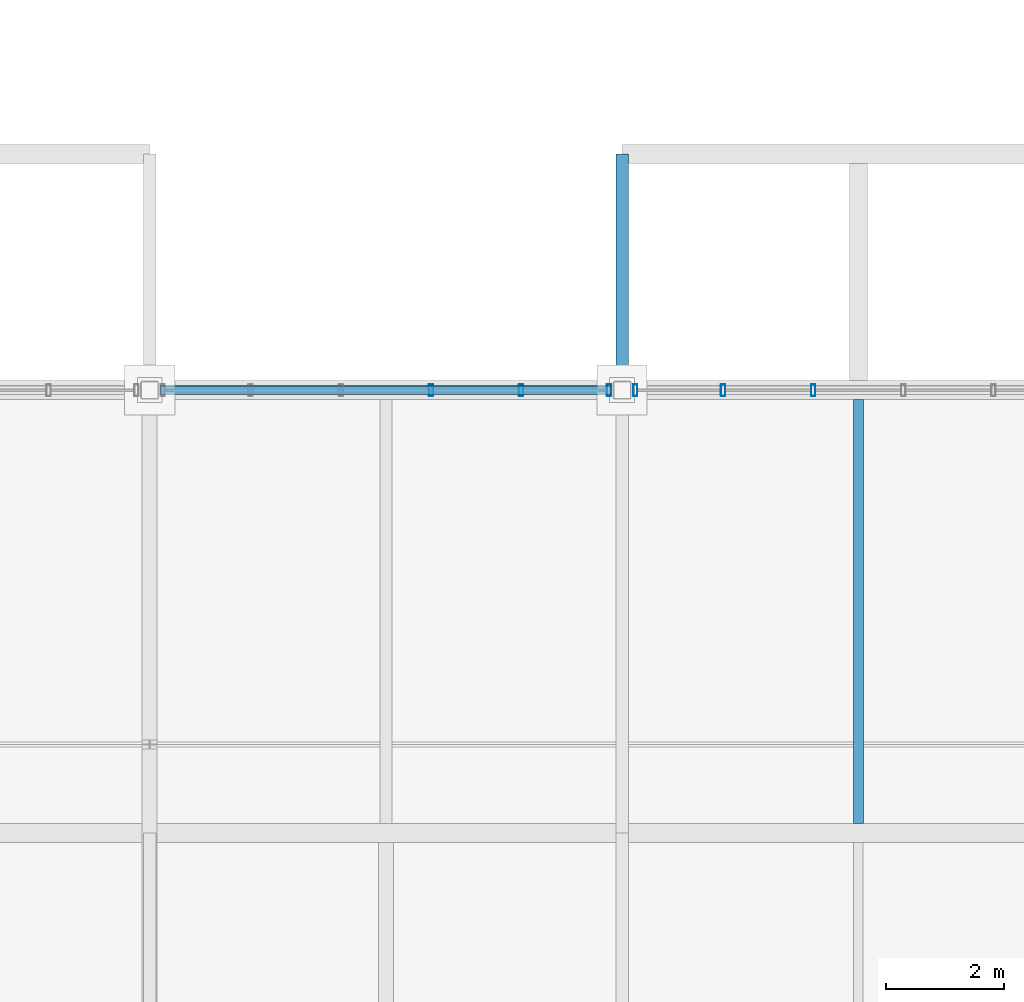
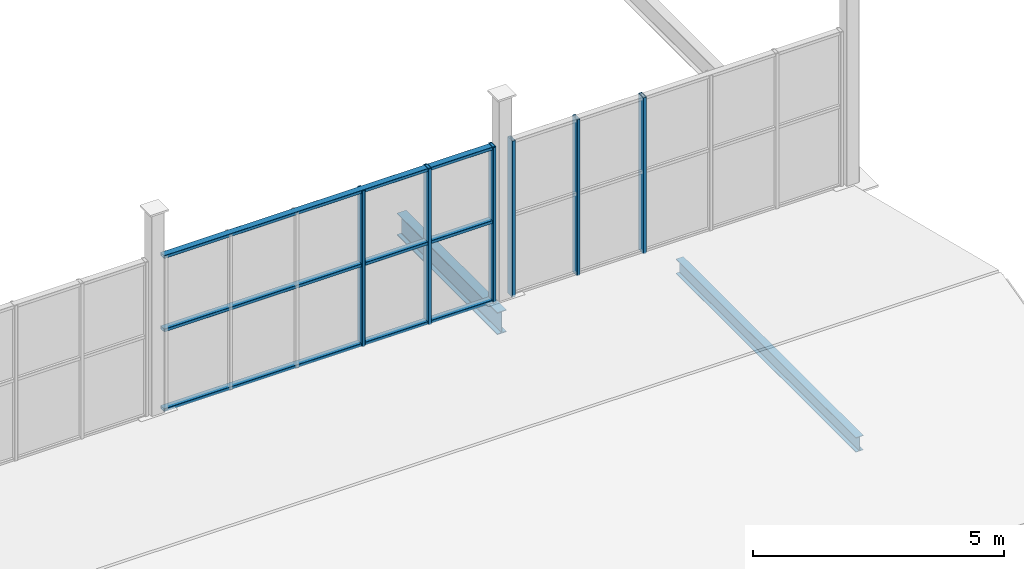
# One storey, part 44 of 96: 9 members, 2 beams, 2 elements without a shape of their own.
"""IFC4 building model written with IfcOpenShell, lengths in metres."""

from ifc_helpers import new_model, si_unit, direction, frame, origin, origin_2d, place, context, subcontext, project, spatial, hollow_rectangle, i_section, extrude, material, material_profile, profile_set, type_object, element, aggregate, save


model = new_model("IFC4")

# Units and contexts
model_context = context("Model", 3, precision=1e-05, world=origin(), true_north=direction((0.0, 1.0)))
body_context = subcontext(model_context, "Body", "Model", "MODEL_VIEW")
ifc_project = project(units=[si_unit("LENGTHUNIT", "METRE"), si_unit("AREAUNIT", "SQUARE_METRE"), si_unit("VOLUMEUNIT", "CUBIC_METRE"), si_unit("PLANEANGLEUNIT", "RADIAN"), si_unit("MASSUNIT", "GRAM", prefix="KILO")], contexts=[model_context])

# Site, building, storey
site_placement = place(None, origin())
site = spatial("IfcSite", under=ifc_project, at=site_placement, CompositionType="ELEMENT")
building_placement = place(site_placement, origin())
building = spatial("IfcBuilding", under=site, at=building_placement, Name="Verrall Gate Interchange", CompositionType="ELEMENT")
storey_placement = place(building_placement, frame((0.0, 0.0, 11.39990234375)))
storey = spatial("IfcBuildingStorey", under=building, at=storey_placement, Name="L03", CompositionType="ELEMENT", Elevation=11.39990234375)

# Beam
ifc_material_1 = material(Name="Structural Steel CSA G40.21 350W", Category="steel")
ifc_material_profile_1 = material_profile(ifc_material_1, i_section(OverallWidth=0.2109375, OverallDepth=0.5390625, WebThickness=0.01171875, FlangeThickness=0.018798828125, FilletRadius=0.013916015625, at=origin_2d()), Name="W530x109")
ifc_profile_set_1 = profile_set([ifc_material_profile_1], Name="Structural Steel CSA G40.21 350W")
beam_type_1 = type_object("IfcBeamType", Name="B-10 Structural Beam W530x109", PredefinedType="BEAM", material=ifc_profile_set_1)
beam_1_placement = place(storey_placement, frame((100.0, 12.0, -0.599365234375), z_axis=(0.0, 1.0, 0.0), x_axis=(-1.0, 0.0, 0.0)))
element("IfcBeam", 1, at=beam_1_placement, inside=storey, type_object=beam_type_1, Name="L03 Girder BM-L03-2308 (B-10)", PredefinedType="BEAM", context=body_context, shape_type="SweptSolid", body=[
    extrude(i_section(OverallWidth=0.2109375, OverallDepth=0.5390625, WebThickness=0.01171875, FlangeThickness=0.018798828125, FilletRadius=0.013916015625, at=origin_2d()), origin(), (0.0, 0.0, 1.0), 4.0),
])

# Curtain wall, members
ifc_material_2 = material(Name="Thermally Broken Anodized Aluminium Curtain Wall Framing", Category="aluminium")
curtain_wall_type = type_object("IfcCurtainWallType", Name="CW-53 Unitized Curtain Wall 7631x3800", PredefinedType="NOTDEFINED", material=ifc_material_2)
curtain_wall_1_placement = place(storey_placement, origin())
curtain_wall_1 = element("IfcCurtainWall", 2, at=curtain_wall_1_placement, inside=storey, type_object=curtain_wall_type, Name="L03 Unitized Curtain Wall CW-L03-CLR-171", PredefinedType="NOTDEFINED")
ifc_material_3 = material(Name="Thermally Broken Anodized Aluminium Curtain Wall Framing", Category="aluminium")
ifc_material_profile_2 = material_profile(ifc_material_3, hollow_rectangle(XDim=0.074951171875, YDim=0.199951171875, WallThickness=0.0048828125, InnerFilletRadius=0.0048828125, OuterFilletRadius=0.010009765625, at=origin_2d()), Name="CWM200x75x5")
ifc_profile_set_2 = profile_set([ifc_material_profile_2], Name="Thermally Broken Anodized Aluminium Curtain Wall Framing")
member_type_1 = type_object("IfcMemberType", Name="CM-02 Curtain Mullion CWM200x75x5", PredefinedType="MULLION", material=ifc_profile_set_2)
member_1_placement = place(storey_placement, frame((96.76318359375, 12.0, 0.0), z_axis=(0.0, 0.0, 1.0), x_axis=(1.0, 0.0, 0.0)))
member_1 = element("IfcMember", 3, at=member_1_placement, type_object=member_type_1, Name="CW-L03-CLR-171 Mullion 4", PredefinedType="MULLION", context=body_context, shape_type="SweptSolid", body=[
    extrude(hollow_rectangle(XDim=0.074951171875, YDim=0.199951171875, WallThickness=0.0048828125, InnerFilletRadius=0.0048828125, OuterFilletRadius=0.010009765625, at=origin_2d()), origin(), (0.0, 0.0, 1.0), 3.800048828125),
])
member_2_placement = place(storey_placement, frame((98.289306640625, 12.0, 0.0), z_axis=(0.0, 0.0, 1.0), x_axis=(1.0, 0.0, 0.0)))
member_2 = element("IfcMember", 4, at=member_2_placement, type_object=member_type_1, Name="CW-L03-CLR-171 Mullion 5", PredefinedType="MULLION", context=body_context, shape_type="SweptSolid", body=[
    extrude(hollow_rectangle(XDim=0.074951171875, YDim=0.199951171875, WallThickness=0.0048828125, InnerFilletRadius=0.0048828125, OuterFilletRadius=0.010009765625, at=origin_2d()), origin(), (0.0, 0.0, 1.0), 3.800048828125),
])
member_3_placement = place(storey_placement, frame((99.778076171875, 12.0, 0.0), z_axis=(0.0, 0.0, 1.0), x_axis=(1.0, 0.0, 0.0)))
member_3 = element("IfcMember", 5, at=member_3_placement, type_object=member_type_1, Name="CW-L03-CLR-171 Mullion 6", PredefinedType="MULLION", context=body_context, shape_type="SweptSolid", body=[
    extrude(hollow_rectangle(XDim=0.074951171875, YDim=0.199951171875, WallThickness=0.0048828125, InnerFilletRadius=0.0048828125, OuterFilletRadius=0.010009765625, at=origin_2d()), origin(), (0.0, 0.0, 1.0), 3.800048828125),
])

curtain_wall_2_placement = place(storey_placement, origin())
curtain_wall_2 = element("IfcCurtainWall", 6, at=curtain_wall_2_placement, inside=storey, type_object=curtain_wall_type, Name="L03 Unitized Curtain Wall CW-L03-CLR-172", PredefinedType="NOTDEFINED")
member_4_placement = place(storey_placement, frame((100.221923828125, 12.0, 0.0), z_axis=(0.0, 0.0, 1.0), x_axis=(1.0, 0.0, 0.0)))
member_4 = element("IfcMember", 7, at=member_4_placement, type_object=member_type_1, Name="CW-L03-CLR-172 Mullion 1", PredefinedType="MULLION", context=body_context, shape_type="SweptSolid", body=[
    extrude(hollow_rectangle(XDim=0.074951171875, YDim=0.199951171875, WallThickness=0.0048828125, InnerFilletRadius=0.0048828125, OuterFilletRadius=0.010009765625, at=origin_2d()), origin(), (0.0, 0.0, 1.0), 3.800048828125),
])
member_5_placement = place(storey_placement, frame((101.710693359375, 12.0, 0.0), z_axis=(0.0, 0.0, 1.0), x_axis=(1.0, 0.0, 0.0)))
member_5 = element("IfcMember", 8, at=member_5_placement, type_object=member_type_1, Name="CW-L03-CLR-172 Mullion 2", PredefinedType="MULLION", context=body_context, shape_type="SweptSolid", body=[
    extrude(hollow_rectangle(XDim=0.074951171875, YDim=0.199951171875, WallThickness=0.0048828125, InnerFilletRadius=0.0048828125, OuterFilletRadius=0.010009765625, at=origin_2d()), origin(), (0.0, 0.0, 1.0), 3.800048828125),
])
member_6_placement = place(storey_placement, frame((103.23681640625, 12.0, 0.0), z_axis=(0.0, 0.0, 1.0), x_axis=(1.0, 0.0, 0.0)))
member_6 = element("IfcMember", 9, at=member_6_placement, type_object=member_type_1, Name="CW-L03-CLR-172 Mullion 3", PredefinedType="MULLION", context=body_context, shape_type="SweptSolid", body=[
    extrude(hollow_rectangle(XDim=0.074951171875, YDim=0.199951171875, WallThickness=0.0048828125, InnerFilletRadius=0.0048828125, OuterFilletRadius=0.010009765625, at=origin_2d()), origin(), (0.0, 0.0, 1.0), 3.800048828125),
])
aggregate(curtain_wall_2, [member_4, member_5, member_6])

# Member
ifc_material_4 = material(Name="Thermally Broken Anodized Aluminium Curtain Wall Framing", Category="aluminium")
ifc_material_profile_3 = material_profile(ifc_material_4, hollow_rectangle(XDim=0.14990234375, YDim=0.074951171875, WallThickness=0.00439453125, InnerFilletRadius=0.00439453125, OuterFilletRadius=0.009033203125, at=origin_2d()), Name="CWT150x75x4.5")
ifc_profile_set_3 = profile_set([ifc_material_profile_3], Name="Thermally Broken Anodized Aluminium Curtain Wall Framing")
member_type_2 = type_object("IfcMemberType", Name="CT-02 Curtain Transom CWT150x75x4.5", PredefinedType="USERDEFINED", material=ifc_profile_set_3)
member_7_placement = place(storey_placement, frame((92.1845703125, 12.0, 0.03759765625), z_axis=(1.0, 0.0, 0.0), x_axis=(0.0, 1.0, 0.0)))
member_7 = element("IfcMember", 10, at=member_7_placement, type_object=member_type_2, Name="CW-L03-CLR-171 Transom 1", ObjectType="TRANSOM", PredefinedType="USERDEFINED", context=body_context, shape_type="SweptSolid", body=[
    extrude(hollow_rectangle(XDim=0.14990234375, YDim=0.074951171875, WallThickness=0.00439453125, InnerFilletRadius=0.00439453125, OuterFilletRadius=0.009033203125, at=origin_2d()), origin(), (0.0, 0.0, 1.0), 7.630859375),
])

member_8_placement = place(storey_placement, frame((92.1845703125, 12.0, 1.97607421875), z_axis=(1.0, 0.0, 0.0), x_axis=(0.0, 1.0, 0.0)))
member_8 = element("IfcMember", 11, at=member_8_placement, type_object=member_type_2, Name="CW-L03-CLR-171 Transom 2", ObjectType="TRANSOM", PredefinedType="USERDEFINED", context=body_context, shape_type="SweptSolid", body=[
    extrude(hollow_rectangle(XDim=0.14990234375, YDim=0.074951171875, WallThickness=0.00439453125, InnerFilletRadius=0.00439453125, OuterFilletRadius=0.009033203125, at=origin_2d()), origin(), (0.0, 0.0, 1.0), 7.630859375),
])

member_9_placement = place(storey_placement, frame((92.1845703125, 12.0, 3.7626953125), z_axis=(1.0, 0.0, 0.0), x_axis=(0.0, 1.0, 0.0)))
member_9 = element("IfcMember", 12, at=member_9_placement, type_object=member_type_2, Name="CW-L03-CLR-171 Transom 3", ObjectType="TRANSOM", PredefinedType="USERDEFINED", context=body_context, shape_type="SweptSolid", body=[
    extrude(hollow_rectangle(XDim=0.14990234375, YDim=0.074951171875, WallThickness=0.00439453125, InnerFilletRadius=0.00439453125, OuterFilletRadius=0.009033203125, at=origin_2d()), origin(), (0.0, 0.0, 1.0), 7.630859375),
])

aggregate(curtain_wall_1, [member_1, member_2, member_3, member_7, member_8, member_9])

# Beam
ifc_material_5 = material(Name="Structural Steel CSA G40.21 350W", Category="steel")
ifc_material_profile_4 = material_profile(ifc_material_5, i_section(OverallWidth=0.172119140625, OverallDepth=0.35791015625, WebThickness=0.0078125, FlangeThickness=0.01318359375, FilletRadius=0.010986328125, at=origin_2d()), Name="W360x57")
ifc_profile_set_4 = profile_set([ifc_material_profile_4], Name="Structural Steel CSA G40.21 350W")
beam_type_2 = type_object("IfcBeamType", Name="J-01 Floor Joist W360x57", PredefinedType="JOIST", material=ifc_profile_set_4)
beam_2_placement = place(storey_placement, frame((104.0, 4.662109375, -0.5087890625), z_axis=(0.0, 1.0, 0.0), x_axis=(-1.0, 0.0, 0.0)))
element("IfcBeam", 13, at=beam_2_placement, inside=storey, type_object=beam_type_2, Name="L03 Secondary Floor Joist JST-L03-2406", PredefinedType="JOIST", context=body_context, shape_type="SweptSolid", body=[
    extrude(i_section(OverallWidth=0.172119140625, OverallDepth=0.35791015625, WebThickness=0.0078125, FlangeThickness=0.01318359375, FilletRadius=0.010986328125, at=origin_2d()), origin(), (0.0, 0.0, 1.0), 7.17578125),
])

save(model, "model.ifc")
